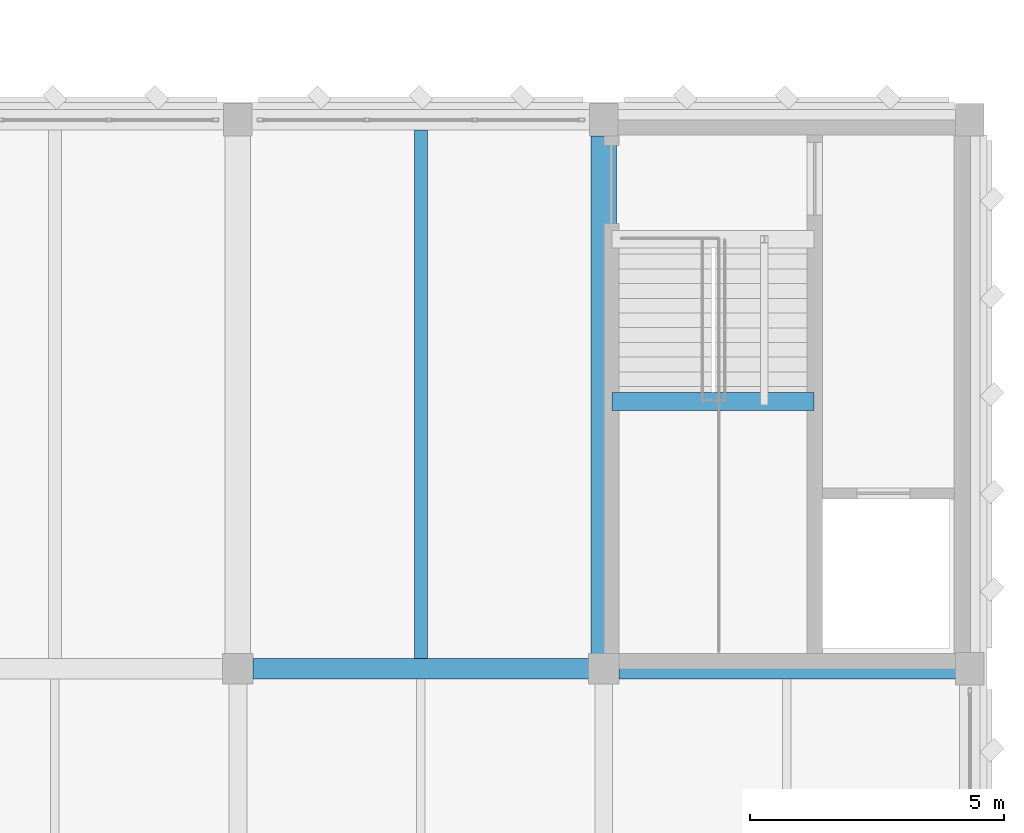
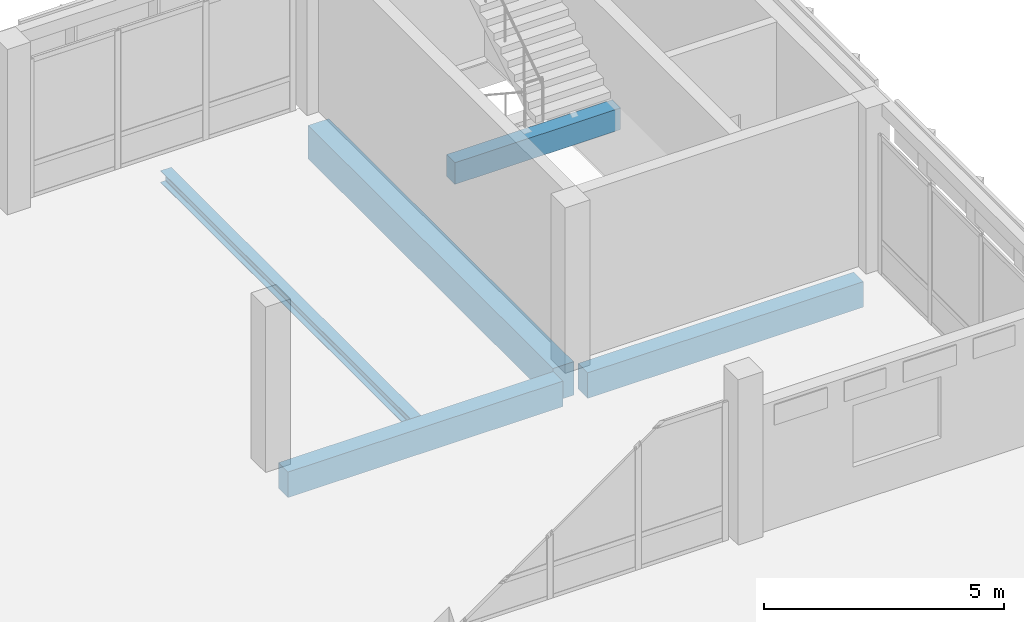
# One storey, part 118 of 158: 5 beams.
"""IFC4 building model written with IfcOpenShell, lengths in metres."""

from ifc_helpers import new_model, si_unit, direction, frame, origin, origin_2d, place, context, subcontext, project, spatial, rectangle, i_section, extrude, material, material_profile, profile_set, type_object, element, save


model = new_model("IFC4")

# Units and contexts
model_context = context("Model", 3, precision=1e-05, world=origin(), true_north=direction((0.0, 1.0)))
body_context = subcontext(model_context, "Body", "Model", "MODEL_VIEW")
ifc_project = project(units=[si_unit("LENGTHUNIT", "METRE"), si_unit("AREAUNIT", "SQUARE_METRE"), si_unit("VOLUMEUNIT", "CUBIC_METRE"), si_unit("PLANEANGLEUNIT", "RADIAN"), si_unit("MASSUNIT", "GRAM", prefix="KILO")], contexts=[model_context])

# Site, building, storey
site_placement = place(None, origin())
site = spatial("IfcSite", under=ifc_project, at=site_placement, CompositionType="ELEMENT")
building_placement = place(site_placement, origin())
building = spatial("IfcBuilding", under=site, at=building_placement, Name="Lusvemor Sports Hall", CompositionType="ELEMENT")
storey_placement = place(building_placement, frame((0.0, 0.0, 10.800048828125)))
storey = spatial("IfcBuildingStorey", under=building, at=storey_placement, Name="L02", CompositionType="ELEMENT", Elevation=10.800048828125)

# Beams
ifc_material_1 = material(Name="Concrete C40/50", Category="concrete")
ifc_material_profile_1 = material_profile(ifc_material_1, rectangle(XDim=0.35009765625, YDim=0.550048828125, at=origin_2d()), Name="RC350x550")
ifc_profile_set_1 = profile_set([ifc_material_profile_1], Name="Concrete C40/50")
beam_type_1 = type_object("IfcBeamType", Name="BEAM_RC_550", PredefinedType="BEAM", material=ifc_profile_set_1)
beam_1_placement = place(storey_placement, frame((162.159912109375, 109.659912109375, 1.64501953125), z_axis=(1.0, 0.0, 0.0), x_axis=(0.0, 1.0, 0.0)))
element("IfcBeam", 1, at=beam_1_placement, inside=storey, type_object=beam_type_1, Name="Stair STR-C5-L02 Mid-Landing Beam", PredefinedType="BEAM", context=body_context, shape_type="SweptSolid", body=[
    extrude(rectangle(XDim=0.35009765625, YDim=0.550048828125, at=origin_2d()), origin(), (0.0, 0.0, 1.0), 3.97998046875),
])
ifc_material_2 = material(Name="Concrete C40/50", Category="concrete")
ifc_material_profile_2 = material_profile(ifc_material_2, rectangle(XDim=0.39990234375, YDim=0.64990234375, at=origin_2d()), Name="RC400x650")
ifc_profile_set_2 = profile_set([ifc_material_profile_2], Name="Concrete C40/50")
beam_type_2 = type_object("IfcBeamType", Name="BEAM_RC_650", PredefinedType="BEAM", material=ifc_profile_set_2)
beam_2_placement = place(storey_placement, frame((155.095947265625, 104.39990234375, -0.5849609375), z_axis=(1.0, 0.0, 0.0), x_axis=(0.0, 1.0, 0.0)))
element("IfcBeam", 2, at=beam_2_placement, inside=storey, type_object=beam_type_2, Name="Beam L02 P:18-19", PredefinedType="BEAM", context=body_context, shape_type="SweptSolid", body=[
    extrude(rectangle(XDim=0.39990234375, YDim=0.64990234375, at=origin_2d()), origin(), (0.0, 0.0, 1.0), 6.608154296875),
])
beam_3_placement = place(storey_placement, frame((162.2958984375, 104.39990234375, -0.5849609375), z_axis=(1.0, 0.0, 0.0), x_axis=(0.0, 1.0, 0.0)))
element("IfcBeam", 3, at=beam_3_placement, inside=storey, type_object=beam_type_2, Name="Beam L02 P:19-20", PredefinedType="BEAM", context=body_context, shape_type="SweptSolid", body=[
    extrude(rectangle(XDim=0.39990234375, YDim=0.64990234375, at=origin_2d()), origin(), (0.0, 0.0, 1.0), 6.628173828125),
])
ifc_material_3 = material(Name="Concrete C40/50", Category="concrete")
ifc_material_profile_3 = material_profile(ifc_material_3, rectangle(XDim=0.5, YDim=0.85009765625, at=origin_2d()), Name="RC500x850")
ifc_profile_set_3 = profile_set([ifc_material_profile_3], Name="Concrete C40/50")
beam_type_3 = type_object("IfcBeamType", Name="GIRD_RC_850", PredefinedType="T_BEAM", material=ifc_profile_set_3)
beam_4_placement = place(storey_placement, frame((162.0, 104.696044921875, -0.68505859375), z_axis=(0.0, 1.0, 0.0), x_axis=(-1.0, 0.0, 0.0)))
element("IfcBeam", 4, at=beam_4_placement, inside=storey, type_object=beam_type_3, Name="Beam L02 19:P-Q", PredefinedType="T_BEAM", context=body_context, shape_type="SweptSolid", body=[
    extrude(rectangle(XDim=0.5, YDim=0.85009765625, at=origin_2d()), origin(), (0.0, 0.0, 1.0), 10.18798828125),
])
ifc_material_4 = material(Name="Steel S355", Category="steel")
ifc_material_profile_4 = material_profile(ifc_material_4, i_section(OverallWidth=0.25390625, OverallDepth=0.305908203125, WebThickness=0.0087890625, FlangeThickness=0.0146484375, FilletRadius=0.014892578125, at=origin_2d()), Name="W310x79.0")
ifc_profile_set_4 = profile_set([ifc_material_profile_4], Name="Steel S355")
beam_type_4 = type_object("IfcBeamType", Name="JOIST_ST_310H", PredefinedType="JOIST", material=ifc_profile_set_4)
beam_5_placement = place(storey_placement, frame((158.39990234375, 104.595947265625, -0.4169921875), z_axis=(0.0, 1.0, 0.0), x_axis=(-1.0, 0.0, 0.0)))
element("IfcBeam", 5, at=beam_5_placement, inside=storey, type_object=beam_type_4, Name="Secondary Joist L02 18-19/P-Q #1", PredefinedType="JOIST", context=body_context, shape_type="SweptSolid", body=[
    extrude(i_section(OverallWidth=0.25390625, OverallDepth=0.305908203125, WebThickness=0.0087890625, FlangeThickness=0.0146484375, FilletRadius=0.014892578125, at=origin_2d()), origin(), (0.0, 0.0, 1.0), 10.407958984375),
])

save(model, "model.ifc")
